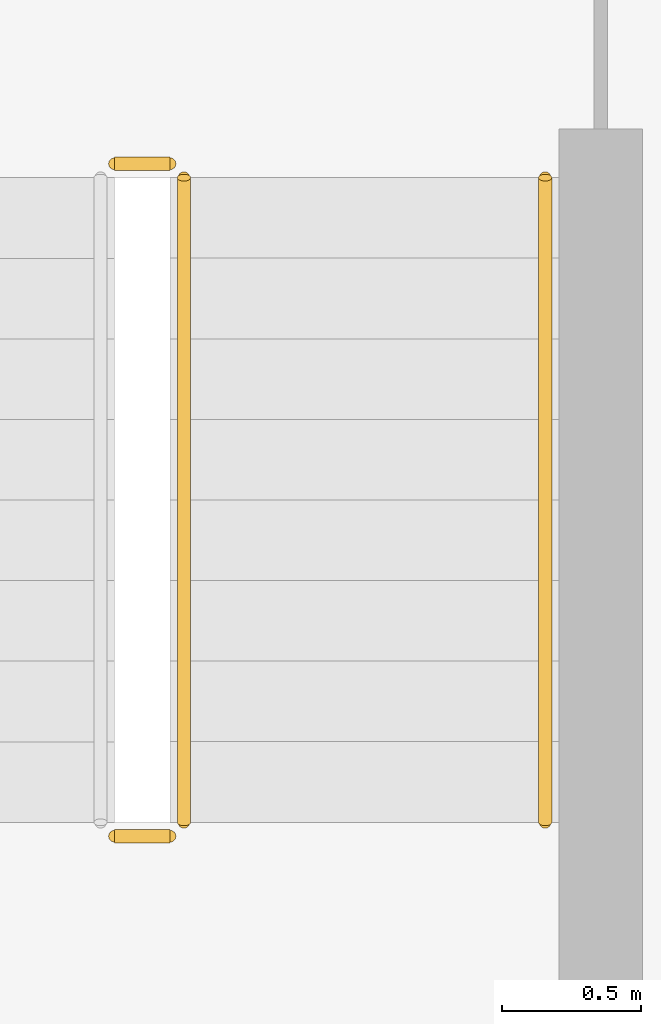
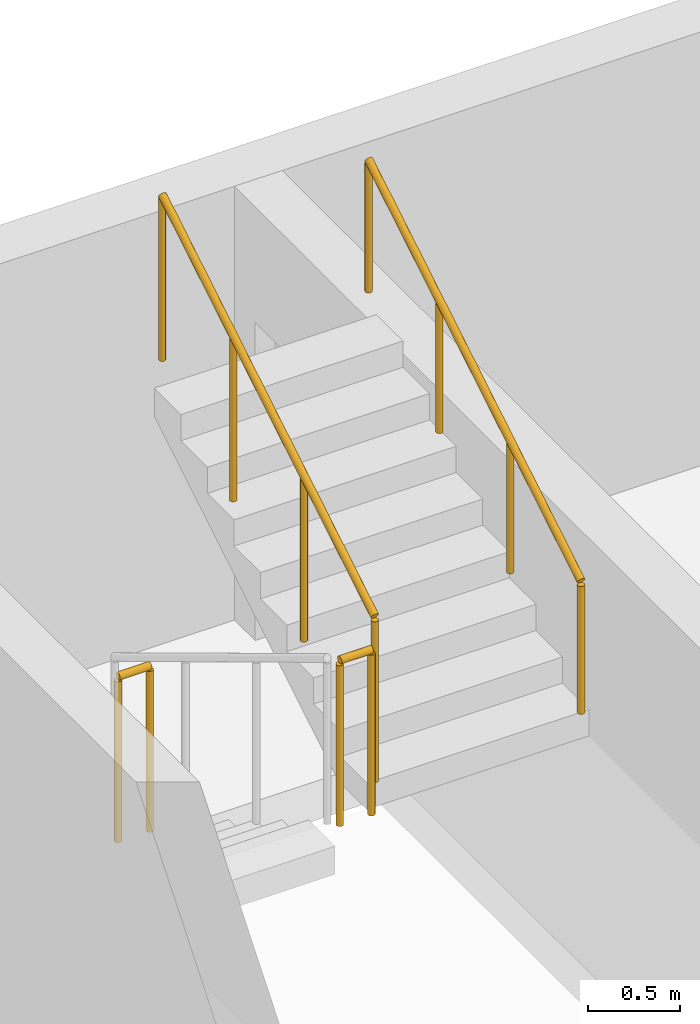
# One storey, part 34 of 41: 4 railings.
"""IFC4 building model written with IfcOpenShell, lengths in metres."""

import ifcopenshell
import ifcopenshell.guid

model = None  # the IFC model being written
_history = None  # IfcOwnerHistory: only IFC2X3 demands one
_inside = {}  # id of a spatial element -> (the spatial element, [elements in it])
_under = {}  # id of a project, library or spatial element -> (it, [spatial elements below it])
_declared = {}  # id of a project -> (the project, [libraries it declares])
_typed = {}  # id of a type object -> (the type object, [elements of that type])
_made_of = {}  # id of a material, layer set ... -> (it, [elements and type objects made of it])


def new_model(schema):
    """Start an empty IFC model of exactly this schema.

    Asked for "IFC4X3", IfcOpenShell would pick the latest addendum, in which some entities
    have other attributes; the version numbers below select the first issue.
    IFC2X3 requires an IfcOwnerHistory on every rooted entity: one is made here for all.
    """
    global model, _history
    if schema == "IFC4X3":
        model = ifcopenshell.file(schema_version=(4, 3, 0, 0))
    else:
        model = ifcopenshell.file(schema=schema)
    _inside.clear()
    _under.clear()
    _declared.clear()
    _typed.clear()
    _made_of.clear()
    _history = None
    if model.schema == "IFC2X3":
        org = make("IfcOrganization", Name="unknown")
        user = make(
            "IfcPersonAndOrganization",
            ThePerson=make("IfcPerson", FamilyName="unknown"),
            TheOrganization=org,
        )
        app = make(
            "IfcApplication",
            ApplicationDeveloper=org,
            Version="unknown",
            ApplicationFullName="unknown",
            ApplicationIdentifier="unknown",
        )
        _history = make(
            "IfcOwnerHistory",
            OwningUser=user,
            OwningApplication=app,
            ChangeAction="ADDED",
            CreationDate=0,
        )
    return model


def make(cls, **values):
    """One entity of the class cls with the attributes given. An attribute that is None is left unset."""
    return model.create_entity(
        cls, **{name: value for name, value in values.items() if value is not None}
    )


def rooted(cls, **values):
    """An entity with a GlobalId (a new one), such as an element, a storey or a relation."""
    return make(cls, GlobalId=ifcopenshell.guid.new(), OwnerHistory=_history, **values)


def si_unit(unit_type, name, prefix=None):
    """IfcSIUnit, for example si_unit("LENGTHUNIT", "METRE", prefix="MILLI")."""
    return make("IfcSIUnit", UnitType=unit_type, Prefix=prefix, Name=name)


def derived_unit(unit_type, elements):
    """IfcDerivedUnit: a product of units, each with its exponent."""
    return make(
        "IfcDerivedUnit",
        Elements=[
            make("IfcDerivedUnitElement", Unit=unit, Exponent=power)
            for unit, power in elements
        ],
        UnitType=unit_type,
    )


def assignment(units):
    """IfcUnitAssignment: the units of a project."""
    return None if units is None else make("IfcUnitAssignment", Units=units)


def point(xyz):
    """IfcCartesianPoint."""
    return None if xyz is None else make("IfcCartesianPoint", Coordinates=xyz)


def direction(xyz):
    """IfcDirection."""
    return None if xyz is None else make("IfcDirection", DirectionRatios=xyz)


def frame(location, z_axis=None, x_axis=None):
    """IfcAxis2Placement3D, a coordinate frame: its origin and axes. An axis left out is left unset."""
    return make(
        "IfcAxis2Placement3D",
        Location=point(location),
        Axis=direction(z_axis),
        RefDirection=direction(x_axis),
    )


def frame_2d(location, x_axis=None):
    """IfcAxis2Placement2D, a coordinate frame in the plane: its origin and x axis."""
    return make(
        "IfcAxis2Placement2D", Location=point(location), RefDirection=direction(x_axis)
    )


def origin():
    """The frame at (0, 0, 0) with its axes left unset."""
    return frame((0.0, 0.0, 0.0))


def origin_2d():
    """The frame at (0, 0) in the plane with its x axis left unset."""
    return frame_2d((0.0, 0.0))


def place(relative_to, where):
    """IfcLocalPlacement: puts the frame where relative to a parent placement (None: the world)."""
    return make(
        "IfcLocalPlacement", PlacementRelTo=relative_to, RelativePlacement=where
    )


def context(
    kind, dimensions, precision=None, world=None, true_north=None, identifier=None
):
    """IfcGeometricRepresentationContext, for example the 3D "Model" context."""
    return make(
        "IfcGeometricRepresentationContext",
        ContextIdentifier=identifier,
        ContextType=kind,
        CoordinateSpaceDimension=dimensions,
        Precision=precision,
        WorldCoordinateSystem=world,
        TrueNorth=true_north,
    )


def subcontext(parent, identifier, kind, view, scale=None):
    """IfcGeometricRepresentationSubContext, for example "Body" below "Model"."""
    return make(
        "IfcGeometricRepresentationSubContext",
        ContextIdentifier=identifier,
        ContextType=kind,
        ParentContext=parent,
        TargetScale=scale,
        TargetView=view,
    )


def project(units=None, contexts=None):
    """IfcProject with its units and contexts."""
    return rooted(
        "IfcProject",
        Name="project",
        RepresentationContexts=contexts,
        UnitsInContext=assignment(units),
    )


def spatial(cls, under=None, at=None, **own):
    """A site, building, storey or space (cls), placed at a placement, below another one or the project."""
    s = rooted(cls, ObjectPlacement=at, **own)
    if under is not None:
        _under.setdefault(under.id(), (under, []))[1].append(s)
    return s


def profile(cls, at=None, kind="AREA", **sizes):
    """A parametric profile (cls). Its sizes go by their IFC names, for example OverallWidth=200.0."""
    return make(cls, ProfileType=kind, Position=at, **sizes)


def circle(**sizes):
    """IfcCircleProfileDef."""
    return profile("IfcCircleProfileDef", **sizes)


def extrude(swept, where, along, depth):
    """IfcExtrudedAreaSolid: the profile swept, set in the frame where, extruded along a direction by depth."""
    return make(
        "IfcExtrudedAreaSolid",
        SweptArea=swept,
        Position=where,
        ExtrudedDirection=direction(along),
        Depth=depth,
    )


def shape(context_of_items, identifier, shape_type, items):
    """IfcShapeRepresentation: the items that make up one representation, for example the "Body"."""
    return make(
        "IfcShapeRepresentation",
        ContextOfItems=context_of_items,
        RepresentationIdentifier=identifier,
        RepresentationType=shape_type,
        Items=items,
    )


def material(Name=None, Category=None):
    """IfcMaterial."""
    return make("IfcMaterial", Name=Name, Category=Category)


def made_of(thing, what):
    """Note that an element or type object is made of a material, layer set ...; save() writes the relation."""
    if what is not None:
        _made_of.setdefault(what.id(), (what, []))[1].append(thing)
    return thing


def type_object(cls, material=None, **own):
    """A type object (cls), such as IfcWallType, which elements share."""
    return made_of(rooted(cls, **own), material)


def element(
    cls,
    number,
    at=None,
    inside=None,
    cuts=None,
    type_object=None,
    material=None,
    context=None,
    identifier="Body",
    shape_type=None,
    held_by="IfcProductDefinitionShape",
    body=None,
    shapes=None,
    **own,
):
    """One element of the class cls, such as IfcWall. Its Tag is "e" and its number.

    at: its placement. inside: the storey or other place that contains it. cuts: it is an
    opening in that element (IfcRelVoidsElement). A single representation is given by context,
    identifier, shape_type and body (its items); several are given by shapes. held_by: the class
    of the entity that holds the representations. save() writes the other relations.
    """
    e = rooted(cls, Tag="e%d" % number, ObjectPlacement=at, **own)
    if body is not None:
        shapes = [shape(context, identifier, shape_type, body)]
    if shapes is not None:
        e.Representation = make(held_by, Representations=shapes)
    if inside is not None:
        _inside.setdefault(inside.id(), (inside, []))[1].append(e)
    if cuts is not None:
        rooted(
            "IfcRelVoidsElement", RelatingBuildingElement=cuts, RelatedOpeningElement=e
        )
    if type_object is not None:
        _typed.setdefault(type_object.id(), (type_object, []))[1].append(e)
    return made_of(e, material)


def aggregate(whole, parts):
    """IfcRelAggregates: a whole, such as a stair, and the parts it consists of."""
    return rooted("IfcRelAggregates", RelatingObject=whole, RelatedObjects=parts)


def save(model, path):
    """Write the relations noted so far, then the file.

    IfcRelAggregates (storeys below a building ...), IfcRelContainedInSpatialStructure (elements
    in a storey), IfcRelDefinesByType, IfcRelAssociatesMaterial and IfcRelDeclares: one each for
    every whole, place, type object, material and project.
    """
    for whole, parts in _under.values():
        aggregate(whole, parts)
    for where, things in _inside.values():
        rooted(
            "IfcRelContainedInSpatialStructure",
            RelatedElements=things,
            RelatingStructure=where,
        )
    for kind, things in _typed.values():
        rooted("IfcRelDefinesByType", RelatedObjects=things, RelatingType=kind)
    for what, things in _made_of.values():
        rooted("IfcRelAssociatesMaterial", RelatedObjects=things, RelatingMaterial=what)
    for by, libraries in _declared.values():
        rooted("IfcRelDeclares", RelatingContext=by, RelatedDefinitions=libraries)
    model.write(path)


model = new_model("IFC4")

# Units and contexts
model_context = context("Model", 3, precision=1e-05, world=origin(), true_north=direction((0.0, 1.0)))
body_context = subcontext(model_context, "Body", "Model", "MODEL_VIEW")
ifc_project = project(units=[si_unit("LENGTHUNIT", "METRE"), si_unit("AREAUNIT", "SQUARE_METRE"), si_unit("VOLUMEUNIT", "CUBIC_METRE"), si_unit("PLANEANGLEUNIT", "RADIAN"), si_unit("MASSUNIT", "GRAM", prefix="KILO"), derived_unit("THERMALTRANSMITTANCEUNIT", [(si_unit("MASSUNIT", "GRAM", prefix="KILO"), 1), (si_unit("TIMEUNIT", "SECOND"), -3), (si_unit("THERMODYNAMICTEMPERATUREUNIT", "KELVIN"), -1)])], contexts=[model_context])

# Site, building, storey
site_placement = place(None, origin())
site = spatial("IfcSite", under=ifc_project, at=site_placement, CompositionType="ELEMENT")
building_placement = place(site_placement, origin())
building = spatial("IfcBuilding", under=site, at=building_placement, Name="Ochrekiln Boulevard Commons", CompositionType="ELEMENT")
storey_placement = place(building_placement, frame((0.0, 0.0, 21.52490234375)))
storey = spatial("IfcBuildingStorey", under=building, at=storey_placement, Name="L06", CompositionType="ELEMENT", Elevation=21.52490234375)

# Railings
ifc_material = material(Name="Brushed stainless steel 316 tubular railing", Category="steel")
railing_type_1 = type_object("IfcRailingType", Name="RLG-HDR-900", PredefinedType="HANDRAIL", material=ifc_material)
railing_1_placement = place(storey_placement, frame((9.35009765625, 114.610107421875, 1.75)))
element("IfcRailing", 1, at=railing_1_placement, inside=storey, type_object=railing_type_1, Name="L06 ST-A2 stair handrail 2", PredefinedType="HANDRAIL", context=body_context, shape_type="SweptSolid", body=[
    extrude(circle(Radius=0.02392578125, at=origin_2d()), frame((0.0, 0.0, 0.8759765625), z_axis=(0.0, 0.856146426353, 0.516733293531), x_axis=(-1.0, 0.0, 0.0)), (0.0, 0.0, 1.0), 2.709716796875),
    extrude(circle(Radius=0.02099609375, at=origin_2d()), origin(), (0.0, 0.0, 1.0), 0.851806640625),
    extrude(circle(Radius=0.02099609375, at=origin_2d()), frame((0.0, 0.773193359375, 0.466796875)), (0.0, 0.0, 1.0), 0.851806640625),
    extrude(circle(Radius=0.02099609375, at=origin_2d()), frame((0.0, 1.546630859375, 0.933349609375)), (0.0, 0.0, 1.0), 0.851806640625),
    extrude(circle(Radius=0.02099609375, at=origin_2d()), frame((0.0, 2.31982421875, 1.400146484375)), (0.0, 0.0, 1.0), 0.851806640625),
])
railing_type_2 = type_object("IfcRailingType", Name="RLG-STR-1120", PredefinedType="BALUSTRADE", material=ifc_material)
railing_2_placement = place(storey_placement, frame((7.800048828125, 114.56005859375, 1.5751953125)))
element("IfcRailing", 2, at=railing_2_placement, inside=storey, type_object=railing_type_2, Name="L06 ST-A2 stair guard 2", PredefinedType="BALUSTRADE", context=body_context, shape_type="SweptSolid", body=[
    extrude(circle(Radius=0.02392578125, at=origin_2d()), frame((0.0, 0.0, 1.09619140625), z_axis=(1.0, 0.0, 0.0), x_axis=(0.0, 1.0, 0.0)), (0.0, 0.0, 1.0), 0.199951171875),
    extrude(circle(Radius=0.02099609375, at=origin_2d()), origin(), (0.0, 0.0, 1.0), 1.072021484375),
    extrude(circle(Radius=0.02099609375, at=origin_2d()), frame((0.199951171875, 0.0, 0.0)), (0.0, 0.0, 1.0), 1.072021484375),
])
railing_3_placement = place(storey_placement, frame((8.050048828125, 114.610107421875, 1.75)))
element("IfcRailing", 3, at=railing_3_placement, inside=storey, type_object=railing_type_2, Name="L06 ST-A2 stair guard 3", PredefinedType="BALUSTRADE", context=body_context, shape_type="SweptSolid", body=[
    extrude(circle(Radius=0.02392578125, at=origin_2d()), frame((0.0, 0.0, 1.09619140625), z_axis=(0.0, 0.856146426353, 0.516733293531), x_axis=(-1.0, 0.0, 0.0)), (0.0, 0.0, 1.0), 2.709716796875),
    extrude(circle(Radius=0.02099609375, at=origin_2d()), origin(), (0.0, 0.0, 1.0), 1.072021484375),
    extrude(circle(Radius=0.02099609375, at=origin_2d()), frame((0.0, 0.773193359375, 0.466796875)), (0.0, 0.0, 1.0), 1.072021484375),
    extrude(circle(Radius=0.02099609375, at=origin_2d()), frame((0.0, 1.546630859375, 0.933349609375)), (0.0, 0.0, 1.0), 1.072021484375),
    extrude(circle(Radius=0.02099609375, at=origin_2d()), frame((0.0, 2.31982421875, 1.400146484375)), (0.0, 0.0, 1.0), 1.072021484375),
])
railing_4_placement = place(storey_placement, frame((7.800048828125, 116.97998046875, 0.0)))
element("IfcRailing", 4, at=railing_4_placement, inside=storey, type_object=railing_type_2, Name="L06 ST-A2 stair guard 4", PredefinedType="BALUSTRADE", context=body_context, shape_type="SweptSolid", body=[
    extrude(circle(Radius=0.02392578125, at=origin_2d()), frame((0.0, 0.0, 1.09619140625), z_axis=(1.0, 0.0, 0.0), x_axis=(0.0, 1.0, 0.0)), (0.0, 0.0, 1.0), 0.199951171875),
    extrude(circle(Radius=0.02099609375, at=origin_2d()), origin(), (0.0, 0.0, 1.0), 1.072021484375),
    extrude(circle(Radius=0.02099609375, at=origin_2d()), frame((0.199951171875, 0.0, 0.0)), (0.0, 0.0, 1.0), 1.072021484375),
])

save(model, "model.ifc")
